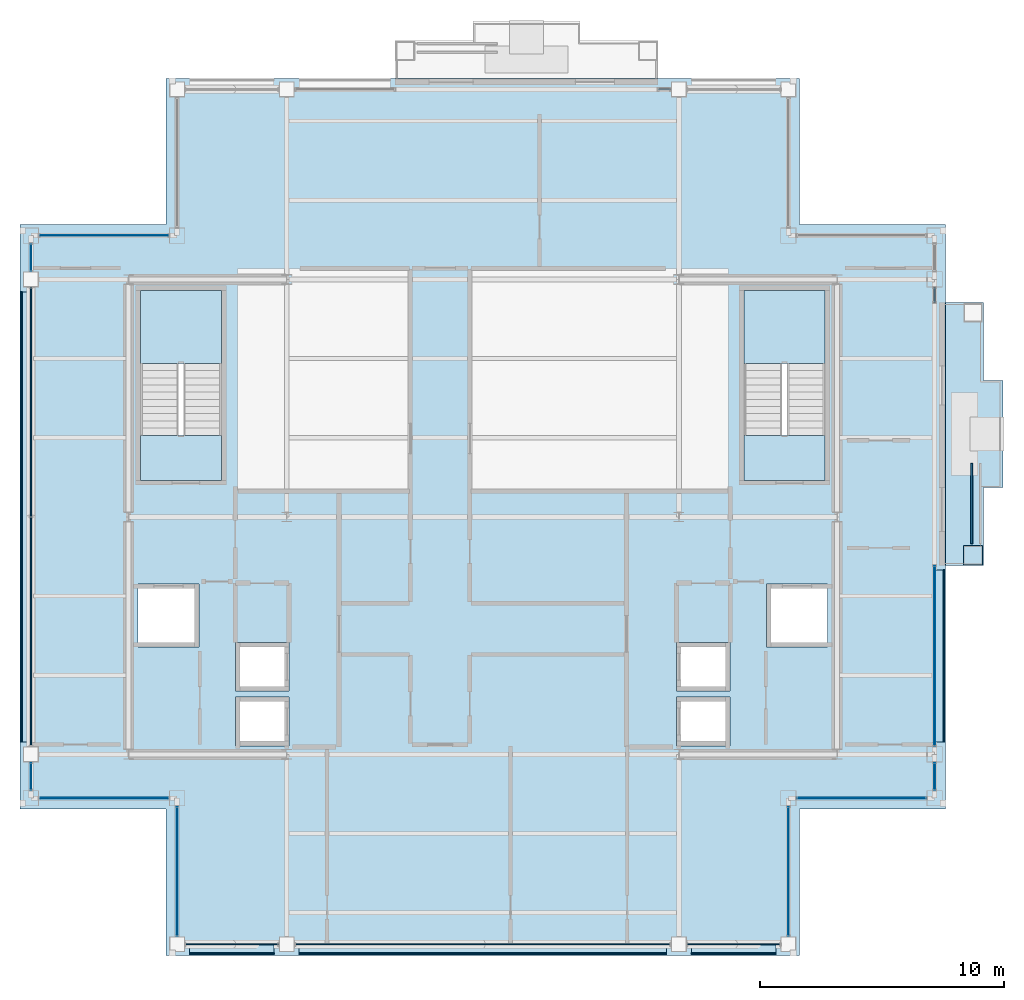
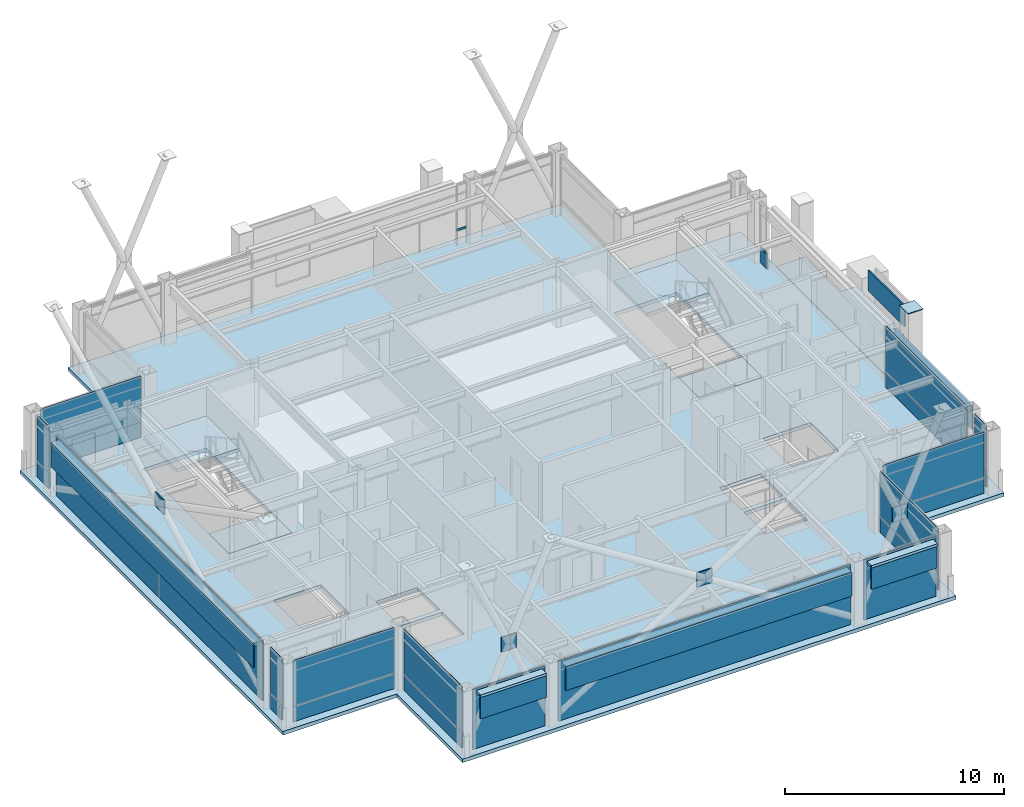
# One storey, part 23 of 30: 40 plates, 6 slabs, 2 members, 17 elements without a shape of their own.
"""IFC4 building model written with IfcOpenShell, lengths in metres."""

from ifc_helpers import new_model, si_unit, direction, frame, origin, origin_2d, place, context, subcontext, project, spatial, polyline, rectangle, hollow_rectangle, outline, extrude, material, layer, layer_set, material_profile, profile_set, type_object, element, aggregate, save


model = new_model("IFC4")

# Units and contexts
model_context = context("Model", 3, precision=1e-05, world=origin(), true_north=direction((0.0, 1.0)))
body_context = subcontext(model_context, "Body", "Model", "MODEL_VIEW")
ifc_project = project(units=[si_unit("LENGTHUNIT", "METRE"), si_unit("AREAUNIT", "SQUARE_METRE"), si_unit("VOLUMEUNIT", "CUBIC_METRE"), si_unit("PLANEANGLEUNIT", "RADIAN"), si_unit("MASSUNIT", "GRAM", prefix="KILO")], contexts=[model_context])

# Site, building, storey
site_placement = place(None, origin())
site = spatial("IfcSite", under=ifc_project, at=site_placement, CompositionType="ELEMENT")
building_placement = place(site_placement, origin())
building = spatial("IfcBuilding", under=site, at=building_placement, Name="Brelmoor Portico Tower", CompositionType="ELEMENT")
storey_placement = place(building_placement, frame((0.0, 0.0, 236.39990234375)))
storey = spatial("IfcBuildingStorey", under=building, at=storey_placement, Name="L62", CompositionType="ELEMENT", Elevation=236.39990234375)

# Curtain wall, member
ifc_material_1 = material(Name="Anodised Aluminium Alloy 6063-T6", Category="aluminium")
ifc_layer_1 = layer(ifc_material_1, 0.179931640625)
ifc_layer_set_1 = layer_set([ifc_layer_1], Name="Anodised Aluminium Alloy 6063-T6")
curtain_wall_type_1 = type_object("IfcCurtainWallType", Name="CW-TOWER-Z4", PredefinedType="NOTDEFINED", material=ifc_layer_set_1)
curtain_wall_1_placement = place(storey_placement, origin())
curtain_wall_1 = element("IfcCurtainWall", 1, at=curtain_wall_1_placement, inside=storey, type_object=curtain_wall_type_1, Name="L62 Curtain Wall CW-L62-2R-1", PredefinedType="NOTDEFINED")
ifc_material_profile = material_profile(ifc_material_1, hollow_rectangle(XDim=0.06005859375, YDim=0.125, WallThickness=0.00341796875, at=origin_2d()), Name="ALU TRANSOM 60x125")
ifc_profile_set = profile_set([ifc_material_profile], Name="Anodised Aluminium Alloy 6063-T6")
member_type = type_object("IfcMemberType", Name="MB-CW-TRAN-125", PredefinedType="USERDEFINED", material=ifc_profile_set)
member_1_placement = place(storey_placement, frame((7.199951171875, 17.550048828125, 0.85009765625), z_axis=(1.0, 0.0, 0.0), x_axis=(0.0, 1.0, 0.0)))
member_1 = element("IfcMember", 2, at=member_1_placement, type_object=member_type, Name="CW-L62-2R-1 Transom 1-00", ObjectType="TRANSOM", PredefinedType="USERDEFINED", context=body_context, shape_type="SweptSolid", body=[
    extrude(hollow_rectangle(XDim=0.06005859375, YDim=0.125, WallThickness=0.00341796875, at=origin_2d()), origin(), (0.0, 0.0, 1.0), 0.51513671875),
])
aggregate(curtain_wall_1, [member_1])

curtain_wall_2_placement = place(storey_placement, origin())
curtain_wall_2 = element("IfcCurtainWall", 3, at=curtain_wall_2_placement, inside=storey, type_object=curtain_wall_type_1, Name="L62 Curtain Wall CW-L62-4R-1", PredefinedType="NOTDEFINED")
member_2_placement = place(storey_placement, frame((18.550048828125, 8.800048828125, 0.85009765625), z_axis=(0.0, 1.0, 0.0), x_axis=(-1.0, 0.0, 0.0)))
member_2 = element("IfcMember", 4, at=member_2_placement, type_object=member_type, Name="CW-L62-4R-1 Transom 1-00", ObjectType="TRANSOM", PredefinedType="USERDEFINED", context=body_context, shape_type="SweptSolid", body=[
    extrude(hollow_rectangle(XDim=0.06005859375, YDim=0.125, WallThickness=0.00341796875, at=origin_2d()), origin(), (0.0, 0.0, 1.0), 0.614990234375),
])

# Plate
ifc_material_2 = material(Name="Steel Q355B", Category="steel")
ifc_layer_2 = layer(ifc_material_2, 0.044921875)
ifc_layer_set_2 = layer_set([ifc_layer_2], Name="Steel Q355B")
plate_type_1 = type_object("IfcPlateType", Name="PT-CAP-650", PredefinedType="SHEET", material=ifc_layer_set_2)
plate_1_placement = place(storey_placement, frame((20.1298828125, -1.580078125, 3.60009765625), z_axis=(0.0, 0.0, 1.0), x_axis=(0.0, 1.0, 0.0)))
element("IfcPlate", 5, at=plate_1_placement, inside=storey, type_object=plate_type_1, Name="L62 Proud Picture-Frame Pier PFJ-E1 Welded Head Cap Plate", PredefinedType="SHEET", context=body_context, shape_type="SweptSolid", body=[
    extrude(rectangle(XDim=0.7900390625, YDim=0.7900390625, at=origin_2d()), origin(), (0.0, 0.0, 1.0), 0.0400390625),
])

# Curtain wall, plate
curtain_wall_3_placement = place(storey_placement, origin())
curtain_wall_3 = element("IfcCurtainWall", 6, at=curtain_wall_3_placement, inside=storey, type_object=curtain_wall_type_1, Name="L62 Curtain Wall CW-L62-03-1", PredefinedType="NOTDEFINED")
ifc_material_3 = material(Name="Double-Silver Low-E Insulated Glazing", Category="glass")
ifc_layer_3 = layer(ifc_material_3, 0.035888671875)
ifc_layer_set_3 = layer_set([ifc_layer_3], Name="Double-Silver Low-E Insulated Glazing")
plate_type_2 = type_object("IfcPlateType", Name="PT-CW-GLASS", PredefinedType="CURTAIN_PANEL", material=ifc_layer_set_3)
plate_2_placement = place(storey_placement, frame((-18.550048828125, -10.64990234375, 0.85009765625), z_axis=(0.0, 0.0, 1.0), x_axis=(0.0, 1.0, 0.0)))
plate_2 = element("IfcPlate", 7, at=plate_2_placement, type_object=plate_type_2, Name="CW-L62-03-1 Vision Glass Panel 00", PredefinedType="CURTAIN_PANEL", context=body_context, shape_type="SweptSolid", body=[
    extrude(rectangle(XDim=1.10009765625, YDim=0.035888671875, at=origin_2d()), origin(), (0.0, 0.0, 1.0), 2.550048828125),
])

curtain_wall_4_placement = place(storey_placement, origin())
curtain_wall_4 = element("IfcCurtainWall", 8, at=curtain_wall_4_placement, inside=storey, type_object=curtain_wall_type_1, Name="L62 Curtain Wall CW-L62-03-3", PredefinedType="NOTDEFINED")
plate_3_placement = place(storey_placement, frame((-18.550048828125, 10.64990234375, 0.85009765625), z_axis=(0.0, 0.0, 1.0), x_axis=(0.0, 1.0, 0.0)))
plate_3 = element("IfcPlate", 9, at=plate_3_placement, type_object=plate_type_2, Name="CW-L62-03-3 Vision Glass Panel 00", PredefinedType="CURTAIN_PANEL", context=body_context, shape_type="SweptSolid", body=[
    extrude(rectangle(XDim=1.10009765625, YDim=0.035888671875, at=origin_2d()), origin(), (0.0, 0.0, 1.0), 2.550048828125),
])

curtain_wall_5_placement = place(storey_placement, origin())
curtain_wall_5 = element("IfcCurtainWall", 10, at=curtain_wall_5_placement, inside=storey, type_object=curtain_wall_type_1, Name="L62 Curtain Wall CW-L62-4L-1", PredefinedType="NOTDEFINED")
plate_4_placement = place(storey_placement, frame((18.550048828125, -10.64990234375, 0.85009765625), z_axis=(0.0, 0.0, 1.0), x_axis=(0.0, 1.0, 0.0)))
plate_4 = element("IfcPlate", 11, at=plate_4_placement, type_object=plate_type_2, Name="CW-L62-4L-1 Vision Glass Panel 00", PredefinedType="CURTAIN_PANEL", context=body_context, shape_type="SweptSolid", body=[
    extrude(rectangle(XDim=1.10009765625, YDim=0.035888671875, at=origin_2d()), origin(), (0.0, 0.0, 1.0), 2.550048828125),
])

curtain_wall_6_placement = place(storey_placement, origin())
curtain_wall_6 = element("IfcCurtainWall", 12, at=curtain_wall_6_placement, inside=storey, type_object=curtain_wall_type_1, Name="L62 Curtain Wall CW-L62-4L-2", PredefinedType="NOTDEFINED")
plate_5_placement = place(storey_placement, frame((18.550048828125, -5.70751953125, 0.85009765625), z_axis=(0.0, 0.0, 1.0), x_axis=(0.0, 1.0, 0.0)))
plate_5 = element("IfcPlate", 13, at=plate_5_placement, type_object=plate_type_2, Name="CW-L62-4L-2 Vision Glass Panel 00", PredefinedType="CURTAIN_PANEL", context=body_context, shape_type="SweptSolid", body=[
    extrude(rectangle(XDim=7.385009765625, YDim=0.035888671875, at=origin_2d()), origin(), (0.0, 0.0, 1.0), 2.550048828125),
])

ifc_layer_4 = layer(ifc_material_1, 0.179931640625)
ifc_layer_set_4 = layer_set([ifc_layer_4], Name="Anodised Aluminium Alloy 6063-T6")
curtain_wall_type_2 = type_object("IfcCurtainWallType", Name="CW-NOTCH-CHAMFER", PredefinedType="NOTDEFINED", material=ifc_layer_set_4)
curtain_wall_7_placement = place(storey_placement, origin())
curtain_wall_7 = element("IfcCurtainWall", 14, at=curtain_wall_7_placement, inside=storey, type_object=curtain_wall_type_2, Name="L62 Curtain Wall CWN-L62-SWH", PredefinedType="NOTDEFINED")
plate_6_placement = place(storey_placement, frame((-15.550048828125, -11.550048828125, 0.85009765625), z_axis=(0.0, 0.0, 1.0), x_axis=(1.0, 0.0, 0.0)))
plate_6 = element("IfcPlate", 15, at=plate_6_placement, type_object=plate_type_2, Name="CWN-L62-SWH Vision Glass Panel 00", PredefinedType="CURTAIN_PANEL", context=body_context, shape_type="SweptSolid", body=[
    extrude(rectangle(XDim=5.300048828125, YDim=0.035888671875, at=origin_2d()), origin(), (0.0, 0.0, 1.0), 2.550048828125),
])

curtain_wall_8_placement = place(storey_placement, origin())
curtain_wall_8 = element("IfcCurtainWall", 16, at=curtain_wall_8_placement, inside=storey, type_object=curtain_wall_type_2, Name="L62 Curtain Wall CWN-L62-SWV", PredefinedType="NOTDEFINED")
plate_7_placement = place(storey_placement, frame((-12.550048828125, -14.550048828125, 0.85009765625), z_axis=(0.0, 0.0, 1.0), x_axis=(0.0, 1.0, 0.0)))
plate_7 = element("IfcPlate", 17, at=plate_7_placement, type_object=plate_type_2, Name="CWN-L62-SWV Vision Glass Panel 00", PredefinedType="CURTAIN_PANEL", context=body_context, shape_type="SweptSolid", body=[
    extrude(rectangle(XDim=5.300048828125, YDim=0.035888671875, at=origin_2d()), origin(), (0.0, 0.0, 1.0), 2.550048828125),
])

curtain_wall_9_placement = place(storey_placement, origin())
curtain_wall_9 = element("IfcCurtainWall", 18, at=curtain_wall_9_placement, inside=storey, type_object=curtain_wall_type_2, Name="L62 Curtain Wall CWN-L62-SEH", PredefinedType="NOTDEFINED")
plate_8_placement = place(storey_placement, frame((15.550048828125, -11.550048828125, 0.85009765625), z_axis=(0.0, 0.0, 1.0), x_axis=(1.0, 0.0, 0.0)))
plate_8 = element("IfcPlate", 19, at=plate_8_placement, type_object=plate_type_2, Name="CWN-L62-SEH Vision Glass Panel 00", PredefinedType="CURTAIN_PANEL", context=body_context, shape_type="SweptSolid", body=[
    extrude(rectangle(XDim=5.300048828125, YDim=0.035888671875, at=origin_2d()), origin(), (0.0, 0.0, 1.0), 2.550048828125),
])

curtain_wall_10_placement = place(storey_placement, origin())
curtain_wall_10 = element("IfcCurtainWall", 20, at=curtain_wall_10_placement, inside=storey, type_object=curtain_wall_type_2, Name="L62 Curtain Wall CWN-L62-SEV", PredefinedType="NOTDEFINED")
plate_9_placement = place(storey_placement, frame((12.550048828125, -14.550048828125, 0.85009765625), z_axis=(0.0, 0.0, 1.0), x_axis=(0.0, 1.0, 0.0)))
plate_9 = element("IfcPlate", 21, at=plate_9_placement, type_object=plate_type_2, Name="CWN-L62-SEV Vision Glass Panel 00", PredefinedType="CURTAIN_PANEL", context=body_context, shape_type="SweptSolid", body=[
    extrude(rectangle(XDim=5.300048828125, YDim=0.035888671875, at=origin_2d()), origin(), (0.0, 0.0, 1.0), 2.550048828125),
])

curtain_wall_11_placement = place(storey_placement, origin())
curtain_wall_11 = element("IfcCurtainWall", 22, at=curtain_wall_11_placement, inside=storey, type_object=curtain_wall_type_2, Name="L62 Curtain Wall CWN-L62-NWH", PredefinedType="NOTDEFINED")
plate_10_placement = place(storey_placement, frame((-15.550048828125, 11.550048828125, 0.85009765625), z_axis=(0.0, 0.0, 1.0), x_axis=(1.0, 0.0, 0.0)))
plate_10 = element("IfcPlate", 23, at=plate_10_placement, type_object=plate_type_2, Name="CWN-L62-NWH Vision Glass Panel 00", PredefinedType="CURTAIN_PANEL", context=body_context, shape_type="SweptSolid", body=[
    extrude(rectangle(XDim=5.300048828125, YDim=0.035888671875, at=origin_2d()), origin(), (0.0, 0.0, 1.0), 2.550048828125),
])

ifc_layer_5 = layer(ifc_material_1, 0.179931640625)
ifc_layer_set_5 = layer_set([ifc_layer_5], Name="Anodised Aluminium Alloy 6063-T6")
curtain_wall_type_3 = type_object("IfcCurtainWallType", Name="CW-TOWER-Z4-XB", PredefinedType="NOTDEFINED", material=ifc_layer_set_5)
curtain_wall_12_placement = place(storey_placement, origin())
curtain_wall_12 = element("IfcCurtainWall", 24, at=curtain_wall_12_placement, inside=storey, type_object=curtain_wall_type_3, Name="L62 Curtain Wall CW-L62-01-1", PredefinedType="NOTDEFINED")
ifc_material_4 = material(Name="Pale Champagne Anodised Aluminium Panel", Category="aluminium")
ifc_layer_6 = layer(ifc_material_4, 0.050048828125)
ifc_layer_set_6 = layer_set([ifc_layer_6], Name="Pale Champagne Anodised Aluminium Panel")
plate_type_3 = type_object("IfcPlateType", Name="PT-CW-SPANDREL", PredefinedType="SHEET", material=ifc_layer_set_6)
plate_11_placement = place(storey_placement, frame((-10.300048828125, -17.550048828125, 0.0), z_axis=(0.0, 0.0, 1.0), x_axis=(1.0, 0.0, 0.0)))
plate_11 = element("IfcPlate", 25, at=plate_11_placement, type_object=plate_type_3, Name="CW-L62-01-1 Spandrel Panel 00", PredefinedType="SHEET", context=body_context, shape_type="SweptSolid", body=[
    extrude(rectangle(XDim=3.800048828125, YDim=0.050048828125, at=origin_2d()), origin(), (0.0, 0.0, 1.0), 3.33740234375),
])
aggregate(curtain_wall_12, [plate_11])

curtain_wall_13_placement = place(storey_placement, origin())
curtain_wall_13 = element("IfcCurtainWall", 26, at=curtain_wall_13_placement, inside=storey, type_object=curtain_wall_type_3, Name="L62 Curtain Wall CW-L62-01-2", PredefinedType="NOTDEFINED")
plate_12_placement = place(storey_placement, frame((0.0, -17.550048828125, 0.0), z_axis=(0.0, 0.0, 1.0), x_axis=(1.0, 0.0, 0.0)))
plate_12 = element("IfcPlate", 27, at=plate_12_placement, type_object=plate_type_3, Name="CW-L62-01-2 Spandrel Panel 00", PredefinedType="SHEET", context=body_context, shape_type="SweptSolid", body=[
    extrude(rectangle(XDim=15.39990234375, YDim=0.050048828125, at=origin_2d()), origin(), (0.0, 0.0, 1.0), 3.33740234375),
])
aggregate(curtain_wall_13, [plate_12])

curtain_wall_14_placement = place(storey_placement, origin())
curtain_wall_14 = element("IfcCurtainWall", 28, at=curtain_wall_14_placement, inside=storey, type_object=curtain_wall_type_3, Name="L62 Curtain Wall CW-L62-01-3", PredefinedType="NOTDEFINED")
plate_13_placement = place(storey_placement, frame((10.300048828125, -17.550048828125, 0.0), z_axis=(0.0, 0.0, 1.0), x_axis=(1.0, 0.0, 0.0)))
plate_13 = element("IfcPlate", 29, at=plate_13_placement, type_object=plate_type_3, Name="CW-L62-01-3 Spandrel Panel 00", PredefinedType="SHEET", context=body_context, shape_type="SweptSolid", body=[
    extrude(rectangle(XDim=3.800048828125, YDim=0.050048828125, at=origin_2d()), origin(), (0.0, 0.0, 1.0), 3.33740234375),
])
aggregate(curtain_wall_14, [plate_13])

# Plate
plate_14_placement = place(storey_placement, frame((-18.550048828125, -10.64990234375, 0.0), z_axis=(0.0, 0.0, 1.0), x_axis=(0.0, 1.0, 0.0)))
plate_14 = element("IfcPlate", 30, at=plate_14_placement, type_object=plate_type_3, Name="CW-L62-03-1 Spandrel Panel 00", PredefinedType="SHEET", context=body_context, shape_type="SweptSolid", body=[
    extrude(rectangle(XDim=1.10009765625, YDim=0.050048828125, at=origin_2d()), origin(), (0.0, 0.0, 1.0), 0.85009765625),
])

aggregate(curtain_wall_3, [plate_14, plate_2])

# Curtain wall, plates
curtain_wall_15_placement = place(storey_placement, origin())
curtain_wall_15 = element("IfcCurtainWall", 31, at=curtain_wall_15_placement, inside=storey, type_object=curtain_wall_type_3, Name="L62 Curtain Wall CW-L62-03-2", PredefinedType="NOTDEFINED")
plate_15_placement = place(storey_placement, frame((-18.550048828125, -4.70751953125, 0.0), z_axis=(0.0, 0.0, 1.0), x_axis=(0.0, 1.0, 0.0)))
plate_15 = element("IfcPlate", 32, at=plate_15_placement, type_object=plate_type_3, Name="CW-L62-03-2 Spandrel Panel 00", PredefinedType="SHEET", context=body_context, shape_type="SweptSolid", body=[
    extrude(rectangle(XDim=9.385009765625, YDim=0.050048828125, at=origin_2d()), origin(), (0.0, 0.0, 1.0), 3.33740234375),
])
plate_16_placement = place(storey_placement, frame((-18.550048828125, 4.70751953125, 0.0), z_axis=(0.0, 0.0, 1.0), x_axis=(0.0, 1.0, 0.0)))
plate_16 = element("IfcPlate", 33, at=plate_16_placement, type_object=plate_type_3, Name="CW-L62-03-2 Spandrel Panel 01", PredefinedType="SHEET", context=body_context, shape_type="SweptSolid", body=[
    extrude(rectangle(XDim=9.385009765625, YDim=0.050048828125, at=origin_2d()), origin(), (0.0, 0.0, 1.0), 3.33740234375),
])
aggregate(curtain_wall_15, [plate_15, plate_16])

# Plate
plate_17_placement = place(storey_placement, frame((-18.550048828125, 10.64990234375, 0.0), z_axis=(0.0, 0.0, 1.0), x_axis=(0.0, 1.0, 0.0)))
plate_17 = element("IfcPlate", 34, at=plate_17_placement, type_object=plate_type_3, Name="CW-L62-03-3 Spandrel Panel 00", PredefinedType="SHEET", context=body_context, shape_type="SweptSolid", body=[
    extrude(rectangle(XDim=1.10009765625, YDim=0.050048828125, at=origin_2d()), origin(), (0.0, 0.0, 1.0), 0.85009765625),
])

aggregate(curtain_wall_4, [plate_17, plate_3])

plate_18_placement = place(storey_placement, frame((18.550048828125, -10.64990234375, 0.0), z_axis=(0.0, 0.0, 1.0), x_axis=(0.0, 1.0, 0.0)))
plate_18 = element("IfcPlate", 35, at=plate_18_placement, type_object=plate_type_3, Name="CW-L62-4L-1 Spandrel Panel 00", PredefinedType="SHEET", context=body_context, shape_type="SweptSolid", body=[
    extrude(rectangle(XDim=1.10009765625, YDim=0.050048828125, at=origin_2d()), origin(), (0.0, 0.0, 1.0), 0.85009765625),
])

aggregate(curtain_wall_5, [plate_18, plate_4])

plate_19_placement = place(storey_placement, frame((18.550048828125, -5.70751953125, 0.0), z_axis=(0.0, 0.0, 1.0), x_axis=(0.0, 1.0, 0.0)))
plate_19 = element("IfcPlate", 36, at=plate_19_placement, type_object=plate_type_3, Name="CW-L62-4L-2 Spandrel Panel 00", PredefinedType="SHEET", context=body_context, shape_type="SweptSolid", body=[
    extrude(rectangle(XDim=7.385009765625, YDim=0.050048828125, at=origin_2d()), origin(), (0.0, 0.0, 1.0), 0.85009765625),
])

aggregate(curtain_wall_6, [plate_19, plate_5])

plate_20_placement = place(storey_placement, frame((18.550048828125, 9.107421875, 0.0), z_axis=(0.0, 0.0, 1.0), x_axis=(0.0, 1.0, 0.0)))
plate_20 = element("IfcPlate", 37, at=plate_20_placement, type_object=plate_type_3, Name="CW-L62-4R-1 Spandrel Panel 00", PredefinedType="SHEET", context=body_context, shape_type="SweptSolid", body=[
    extrude(rectangle(XDim=0.5849609375, YDim=0.050048828125, at=origin_2d()), origin(), (0.0, 0.0, 1.0), 0.85009765625),
])

aggregate(curtain_wall_2, [member_2, plate_20])

plate_21_placement = place(storey_placement, frame((-15.550048828125, -11.550048828125, 0.0), z_axis=(0.0, 0.0, 1.0), x_axis=(1.0, 0.0, 0.0)))
plate_21 = element("IfcPlate", 38, at=plate_21_placement, type_object=plate_type_3, Name="CWN-L62-SWH Spandrel Panel 00", PredefinedType="SHEET", context=body_context, shape_type="SweptSolid", body=[
    extrude(rectangle(XDim=5.300048828125, YDim=0.050048828125, at=origin_2d()), origin(), (0.0, 0.0, 1.0), 0.85009765625),
])

aggregate(curtain_wall_7, [plate_21, plate_6])

plate_22_placement = place(storey_placement, frame((-12.550048828125, -14.550048828125, 0.0), z_axis=(0.0, 0.0, 1.0), x_axis=(0.0, 1.0, 0.0)))
plate_22 = element("IfcPlate", 39, at=plate_22_placement, type_object=plate_type_3, Name="CWN-L62-SWV Spandrel Panel 00", PredefinedType="SHEET", context=body_context, shape_type="SweptSolid", body=[
    extrude(rectangle(XDim=5.300048828125, YDim=0.050048828125, at=origin_2d()), origin(), (0.0, 0.0, 1.0), 0.85009765625),
])

aggregate(curtain_wall_8, [plate_22, plate_7])

plate_23_placement = place(storey_placement, frame((15.550048828125, -11.550048828125, 0.0), z_axis=(0.0, 0.0, 1.0), x_axis=(1.0, 0.0, 0.0)))
plate_23 = element("IfcPlate", 40, at=plate_23_placement, type_object=plate_type_3, Name="CWN-L62-SEH Spandrel Panel 00", PredefinedType="SHEET", context=body_context, shape_type="SweptSolid", body=[
    extrude(rectangle(XDim=5.300048828125, YDim=0.050048828125, at=origin_2d()), origin(), (0.0, 0.0, 1.0), 0.85009765625),
])

aggregate(curtain_wall_9, [plate_23, plate_8])

plate_24_placement = place(storey_placement, frame((12.550048828125, -14.550048828125, 0.0), z_axis=(0.0, 0.0, 1.0), x_axis=(0.0, 1.0, 0.0)))
plate_24 = element("IfcPlate", 41, at=plate_24_placement, type_object=plate_type_3, Name="CWN-L62-SEV Spandrel Panel 00", PredefinedType="SHEET", context=body_context, shape_type="SweptSolid", body=[
    extrude(rectangle(XDim=5.300048828125, YDim=0.050048828125, at=origin_2d()), origin(), (0.0, 0.0, 1.0), 0.85009765625),
])

aggregate(curtain_wall_10, [plate_24, plate_9])

plate_25_placement = place(storey_placement, frame((-15.550048828125, 11.550048828125, 0.0), z_axis=(0.0, 0.0, 1.0), x_axis=(1.0, 0.0, 0.0)))
plate_25 = element("IfcPlate", 42, at=plate_25_placement, type_object=plate_type_3, Name="CWN-L62-NWH Spandrel Panel 00", PredefinedType="SHEET", context=body_context, shape_type="SweptSolid", body=[
    extrude(rectangle(XDim=5.300048828125, YDim=0.050048828125, at=origin_2d()), origin(), (0.0, 0.0, 1.0), 0.85009765625),
])

aggregate(curtain_wall_11, [plate_25, plate_10])

# Plates
ifc_layer_7 = layer(ifc_material_2, 0.050048828125)
ifc_layer_set_7 = layer_set([ifc_layer_7], Name="Steel Q355B")
plate_type_4 = type_object("IfcPlateType", Name="PT-GUSSET-800", PredefinedType="USERDEFINED", material=ifc_layer_set_7)
for number, where, z_axis, x_axis, name in (
    (43, (-10.300048828125, -17.550048828125, 4.89990234375), (0.0, 0.0, 1.0), (1.0, 0.0, 0.0), "L62 Perimeter Mega-Brace Gusset 139"),
    (44, (0.0, -17.550048828125, 4.89990234375), (0.0, 0.0, 1.0), (1.0, 0.0, 0.0), "L62 Perimeter Mega-Brace Gusset 140"),
    (45, (10.300048828125, -17.550048828125, 4.89990234375), (0.0, 0.0, 1.0), (1.0, 0.0, 0.0), "L62 Perimeter Mega-Brace Gusset 141"),
):
    element("IfcPlate", number, at=place(storey_placement, frame(where, z_axis=z_axis, x_axis=x_axis)), inside=storey, type_object=plate_type_4, Name=name, ObjectType="GUSSET PLATE", PredefinedType="USERDEFINED", context=body_context, shape_type="SweptSolid", body=[
        extrude(rectangle(XDim=0.800048828125, YDim=0.050048828125, at=origin_2d()), origin(), (0.0, 0.0, 1.0), 0.800048828125),
    ])
plate_26_placement = place(storey_placement, frame((-18.550048828125, 0.0, 4.89990234375), z_axis=(0.0, 0.0, 1.0), x_axis=(1.0, 0.0, 0.0)))
element("IfcPlate", 46, at=plate_26_placement, inside=storey, type_object=plate_type_4, Name="L62 Perimeter Mega-Brace Gusset 144", ObjectType="GUSSET PLATE", PredefinedType="USERDEFINED", context=body_context, shape_type="SweptSolid", body=[
    extrude(rectangle(XDim=0.050048828125, YDim=0.800048828125, at=origin_2d()), origin(), (0.0, 0.0, 1.0), 0.800048828125),
])
ifc_material_5 = material(Name="Powder-Coated Aluminium Shuttered Jalousie Louvre", Category="aluminium")
ifc_layer_8 = layer(ifc_material_5, 0.06005859375)
ifc_layer_set_8 = layer_set([ifc_layer_8], Name="Powder-Coated Aluminium Shuttered Jalousie Louvre")
plate_type_5 = type_object("IfcPlateType", Name="PT-JALOUSIE-SHUTTER", PredefinedType="SHEET", material=ifc_layer_set_8)
plate_27_placement = place(storey_placement, frame((-10.300048828125, -17.929931640625, 1.8740234375), z_axis=(0.0, 0.0, 1.0), x_axis=(1.0, 0.0, 0.0)))
element("IfcPlate", 47, at=plate_27_placement, inside=storey, type_object=plate_type_5, Name="CW-L62-01-1 Perforated Jalousie Solar Screen", PredefinedType="SHEET", context=body_context, shape_type="SweptSolid", body=[
    extrude(rectangle(XDim=3.469970703125, YDim=0.06494140625, at=origin_2d()), origin(), (0.0, 0.0, 1.0), 1.325927734375),
])
plate_28_placement = place(storey_placement, frame((0.0, -17.929931640625, 1.8740234375), z_axis=(0.0, 0.0, 1.0), x_axis=(1.0, 0.0, 0.0)))
element("IfcPlate", 48, at=plate_28_placement, inside=storey, type_object=plate_type_5, Name="CW-L62-01-2 Perforated Jalousie Solar Screen", PredefinedType="SHEET", context=body_context, shape_type="SweptSolid", body=[
    extrude(rectangle(XDim=15.070068359375, YDim=0.06494140625, at=origin_2d()), origin(), (0.0, 0.0, 1.0), 1.325927734375),
])
plate_29_placement = place(storey_placement, frame((10.300048828125, -17.929931640625, 1.8740234375), z_axis=(0.0, 0.0, 1.0), x_axis=(1.0, 0.0, 0.0)))
element("IfcPlate", 49, at=plate_29_placement, inside=storey, type_object=plate_type_5, Name="CW-L62-01-3 Perforated Jalousie Solar Screen", PredefinedType="SHEET", context=body_context, shape_type="SweptSolid", body=[
    extrude(rectangle(XDim=3.469970703125, YDim=0.06494140625, at=origin_2d()), origin(), (0.0, 0.0, 1.0), 1.325927734375),
])
plate_30_placement = place(storey_placement, frame((-18.929931640625, 0.0, 1.8740234375), z_axis=(0.0, 0.0, 1.0), x_axis=(0.0, 1.0, 0.0)))
element("IfcPlate", 50, at=plate_30_placement, inside=storey, type_object=plate_type_5, Name="CW-L62-03-2 Perforated Jalousie Solar Screen", PredefinedType="SHEET", context=body_context, shape_type="SweptSolid", body=[
    extrude(rectangle(XDim=18.469970703125, YDim=0.06494140625, at=origin_2d()), origin(), (0.0, 0.0, 1.0), 1.325927734375),
])
plate_31_placement = place(storey_placement, frame((18.929931640625, -5.70751953125, 1.8740234375), z_axis=(0.0, 0.0, 1.0), x_axis=(0.0, 1.0, 0.0)))
element("IfcPlate", 51, at=plate_31_placement, inside=storey, type_object=plate_type_5, Name="CW-L62-4L-2 Perforated Jalousie Solar Screen", PredefinedType="SHEET", context=body_context, shape_type="SweptSolid", body=[
    extrude(rectangle(XDim=7.054931640625, YDim=0.06494140625, at=origin_2d()), origin(), (0.0, 0.0, 1.0), 1.325927734375),
])
plate_32_placement = place(storey_placement, frame((20.080078125, 0.550048828125, 2.275146484375), z_axis=(0.0, 0.0, 1.0), x_axis=(0.0, 1.0, 0.0)))
element("IfcPlate", 52, at=plate_32_placement, inside=storey, type_object=plate_type_5, Name="L62 Shuttered Veranda Screen E", PredefinedType="SHEET", context=body_context, shape_type="SweptSolid", body=[
    extrude(rectangle(XDim=3.300048828125, YDim=0.080078125, at=origin_2d()), origin(), (0.0, 0.0, 1.0), 1.14990234375),
])
ifc_material_6 = material(Name="Pale Champagne Perforated Aluminium Solar Screen", Category="aluminium")
ifc_layer_9 = layer(ifc_material_6, 0.054931640625)
ifc_layer_set_9 = layer_set([ifc_layer_9], Name="Pale Champagne Perforated Aluminium Solar Screen")
plate_type_6 = type_object("IfcPlateType", Name="PT-SOLAR-LOUVRE", PredefinedType="SHEET", material=ifc_layer_set_9)
plate_33_placement = place(storey_placement, frame((-10.300048828125, -17.760009765625, 3.09033203125), z_axis=(0.0, 0.0, 1.0), x_axis=(1.0, 0.0, 0.0)))
element("IfcPlate", 53, at=plate_33_placement, inside=storey, type_object=plate_type_6, Name="CW-L62-01-1 Caribbean Brise-Soleil Solar Screen", PredefinedType="SHEET", context=body_context, shape_type="SweptSolid", body=[
    extrude(rectangle(XDim=3.469970703125, YDim=0.4599609375, at=origin_2d()), origin(), (0.0, 0.0, 1.0), 0.139892578125),
])
plate_34_placement = place(storey_placement, frame((0.0, -17.760009765625, 3.09033203125), z_axis=(0.0, 0.0, 1.0), x_axis=(1.0, 0.0, 0.0)))
element("IfcPlate", 54, at=plate_34_placement, inside=storey, type_object=plate_type_6, Name="CW-L62-01-2 Caribbean Brise-Soleil Solar Screen", PredefinedType="SHEET", context=body_context, shape_type="SweptSolid", body=[
    extrude(rectangle(XDim=15.070068359375, YDim=0.4599609375, at=origin_2d()), origin(), (0.0, 0.0, 1.0), 0.139892578125),
])
plate_35_placement = place(storey_placement, frame((10.300048828125, -17.760009765625, 3.09033203125), z_axis=(0.0, 0.0, 1.0), x_axis=(1.0, 0.0, 0.0)))
element("IfcPlate", 55, at=plate_35_placement, inside=storey, type_object=plate_type_6, Name="CW-L62-01-3 Caribbean Brise-Soleil Solar Screen", PredefinedType="SHEET", context=body_context, shape_type="SweptSolid", body=[
    extrude(rectangle(XDim=3.469970703125, YDim=0.4599609375, at=origin_2d()), origin(), (0.0, 0.0, 1.0), 0.139892578125),
])
plate_36_placement = place(storey_placement, frame((-18.760009765625, 0.0, 3.09033203125), z_axis=(0.0, 0.0, 1.0), x_axis=(0.0, 1.0, 0.0)))
element("IfcPlate", 56, at=plate_36_placement, inside=storey, type_object=plate_type_6, Name="CW-L62-03-2 Caribbean Brise-Soleil Solar Screen", PredefinedType="SHEET", context=body_context, shape_type="SweptSolid", body=[
    extrude(rectangle(XDim=18.469970703125, YDim=0.4599609375, at=origin_2d()), origin(), (0.0, 0.0, 1.0), 0.139892578125),
])
plate_37_placement = place(storey_placement, frame((18.760009765625, -5.70751953125, 3.09033203125), z_axis=(0.0, 0.0, 1.0), x_axis=(0.0, 1.0, 0.0)))
element("IfcPlate", 57, at=plate_37_placement, inside=storey, type_object=plate_type_6, Name="CW-L62-4L-2 Caribbean Brise-Soleil Solar Screen", PredefinedType="SHEET", context=body_context, shape_type="SweptSolid", body=[
    extrude(rectangle(XDim=7.054931640625, YDim=0.4599609375, at=origin_2d()), origin(), (0.0, 0.0, 1.0), 0.139892578125),
])

# Slabs
ifc_material_7 = material(Name="Concrete C40", Category="concrete")
ifc_layer_10 = layer(ifc_material_7, 0.199951171875)
ifc_layer_set_10 = layer_set([ifc_layer_10], Name="Concrete C40")
slab_type_1 = type_object("IfcSlabType", Name="SL-BALCONY-200", PredefinedType="FLOOR", material=ifc_layer_set_10)
slab_1_placement = place(storey_placement, frame((0.0, 0.0, -0.199951171875)))
element("IfcSlab", 58, at=slab_1_placement, inside=storey, type_object=slab_type_1, Name="L62 Loggia Tree Balcony Slab E", PredefinedType="FLOOR", context=body_context, shape_type="SweptSolid", body=[
    extrude(outline(polyline([(19.0, -2.0), (20.550048828125, -2.0), (20.550048828125, 1.199951171875), (21.35009765625, 1.199951171875), (21.35009765625, 5.60009765625), (20.550048828125, 5.60009765625), (20.550048828125, 8.800048828125), (19.0, 8.800048828125), (19.0, -2.0)])), origin(), (0.0, 0.0, 1.0), 0.199951171875),
])
ifc_layer_11 = layer(ifc_material_7, 0.199951171875)
ifc_layer_set_11 = layer_set([ifc_layer_11], Name="Concrete C40")
slab_type_2 = type_object("IfcSlabType", Name="SL-FLOOR-200", PredefinedType="FLOOR", material=ifc_layer_set_11)
slab_2_placement = place(storey_placement, frame((0.0, 0.0, -0.199951171875)))
element("IfcSlab", 59, at=slab_2_placement, inside=storey, type_object=slab_type_2, Name="L62 Main Structural Floor Slab", PredefinedType="FLOOR", context=body_context, shape_type="SweptSolid", body=[
    extrude(outline(polyline([(-13.0, -18.0), (13.0, -18.0), (13.0, -12.0), (19.0, -12.0), (19.0, 12.0), (13.0, 12.0), (13.0, 18.0), (-13.0, 18.0), (-13.0, 12.0), (-19.0, 12.0), (-19.0, -12.0), (-13.0, -12.0), (-13.0, -18.0)]), holes=[polyline([(-10.72998046875, 1.5), (-10.72998046875, 9.300048828125), (-14.050048828125, 9.300048828125), (-14.050048828125, 1.5), (-10.72998046875, 1.5)]), polyline([(14.050048828125, 1.5), (14.050048828125, 9.300048828125), (10.72998046875, 9.300048828125), (10.72998046875, 1.5), (14.050048828125, 1.5)]), polyline([(-10.14990234375, -9.39990234375), (-7.949951171875, -9.39990234375), (-7.949951171875, -7.39990234375), (-10.14990234375, -7.39990234375), (-10.14990234375, -9.39990234375)]), polyline([(-10.14990234375, -7.14990234375), (-7.949951171875, -7.14990234375), (-7.949951171875, -5.14990234375), (-10.14990234375, -5.14990234375), (-10.14990234375, -7.14990234375)]), polyline([(7.949951171875, -9.39990234375), (10.14990234375, -9.39990234375), (10.14990234375, -7.39990234375), (7.949951171875, -7.39990234375), (7.949951171875, -9.39990234375)]), polyline([(7.949951171875, -7.14990234375), (10.14990234375, -7.14990234375), (10.14990234375, -5.14990234375), (7.949951171875, -5.14990234375), (7.949951171875, -7.14990234375)]), polyline([(-14.14990234375, -5.35009765625), (-11.64990234375, -5.35009765625), (-11.64990234375, -2.75), (-14.14990234375, -2.75), (-14.14990234375, -5.35009765625)]), polyline([(11.64990234375, -5.35009765625), (14.14990234375, -5.35009765625), (14.14990234375, -2.75), (11.64990234375, -2.75), (11.64990234375, -5.35009765625)])]), origin(), (0.0, 0.0, 1.0), 0.199951171875),
])

# Stair, slab
stair_type_1 = type_object("IfcStairType", Name="ST-CORE-W", PredefinedType="HALF_TURN_STAIR", material=ifc_material_7)
stair_1_placement = place(storey_placement, origin())
stair_1 = element("IfcStair", 60, at=stair_1_placement, inside=storey, type_object=stair_type_1, Name="L62 Protected Core Exit Stair ST-W", PredefinedType="HALF_TURN_STAIR")
ifc_layer_12 = layer(ifc_material_7, 0.179931640625)
ifc_layer_set_12 = layer_set([ifc_layer_12], Name="Concrete C40")
slab_type_3 = type_object("IfcSlabType", Name="SL-LANDING-180", PredefinedType="LANDING", material=ifc_layer_set_12)
slab_3_placement = place(storey_placement, frame((0.0, 0.0, 1.60009765625)))
slab_3 = element("IfcSlab", 61, at=slab_3_placement, type_object=slab_type_3, Name="ST-W landing 1", PredefinedType="LANDING", context=body_context, shape_type="SweptSolid", body=[
    extrude(outline(polyline([(-10.72998046875, 6.300048828125), (-10.72998046875, 9.300048828125), (-14.050048828125, 9.300048828125), (-14.050048828125, 6.300048828125), (-10.72998046875, 6.300048828125)])), origin(), (0.0, 0.0, 1.0), 0.199951171875),
])
aggregate(stair_1, [slab_3])

stair_type_2 = type_object("IfcStairType", Name="ST-CORE-E", PredefinedType="HALF_TURN_STAIR", material=ifc_material_7)
stair_2_placement = place(storey_placement, origin())
stair_2 = element("IfcStair", 62, at=stair_2_placement, inside=storey, type_object=stair_type_2, Name="L62 Protected Core Exit Stair ST-E", PredefinedType="HALF_TURN_STAIR")
slab_4_placement = place(storey_placement, frame((0.0, 0.0, 1.60009765625)))
slab_4 = element("IfcSlab", 63, at=slab_4_placement, type_object=slab_type_3, Name="ST-E landing 1", PredefinedType="LANDING", context=body_context, shape_type="SweptSolid", body=[
    extrude(outline(polyline([(14.050048828125, 6.300048828125), (14.050048828125, 9.300048828125), (10.72998046875, 9.300048828125), (10.72998046875, 6.300048828125), (14.050048828125, 6.300048828125)])), origin(), (0.0, 0.0, 1.0), 0.199951171875),
])
aggregate(stair_2, [slab_4])

# Slabs
ifc_layer_13 = layer(ifc_material_7, 0.199951171875)
ifc_layer_set_13 = layer_set([ifc_layer_13], Name="Concrete C40")
slab_type_4 = type_object("IfcSlabType", Name="SL-STAIR-FL200", PredefinedType="LANDING", material=ifc_layer_set_13)
slab_5_placement = place(storey_placement, frame((0.0, 0.0, -0.199951171875)))
element("IfcSlab", 64, at=slab_5_placement, inside=storey, type_object=slab_type_4, Name="L62 ST-W Structural Floor Landing Slab", PredefinedType="LANDING", context=body_context, shape_type="SweptSolid", body=[
    extrude(outline(polyline([(-10.72998046875, 1.5), (-10.72998046875, 3.35009765625), (-14.050048828125, 3.35009765625), (-14.050048828125, 1.5), (-10.72998046875, 1.5)])), origin(), (0.0, 0.0, 1.0), 0.199951171875),
])
slab_6_placement = place(storey_placement, frame((0.0, 0.0, -0.199951171875)))
element("IfcSlab", 65, at=slab_6_placement, inside=storey, type_object=slab_type_4, Name="L62 ST-E Structural Floor Landing Slab", PredefinedType="LANDING", context=body_context, shape_type="SweptSolid", body=[
    extrude(outline(polyline([(14.050048828125, 1.5), (14.050048828125, 3.35009765625), (10.72998046875, 3.35009765625), (10.72998046875, 1.5), (14.050048828125, 1.5)])), origin(), (0.0, 0.0, 1.0), 0.199951171875),
])

save(model, "model.ifc")
